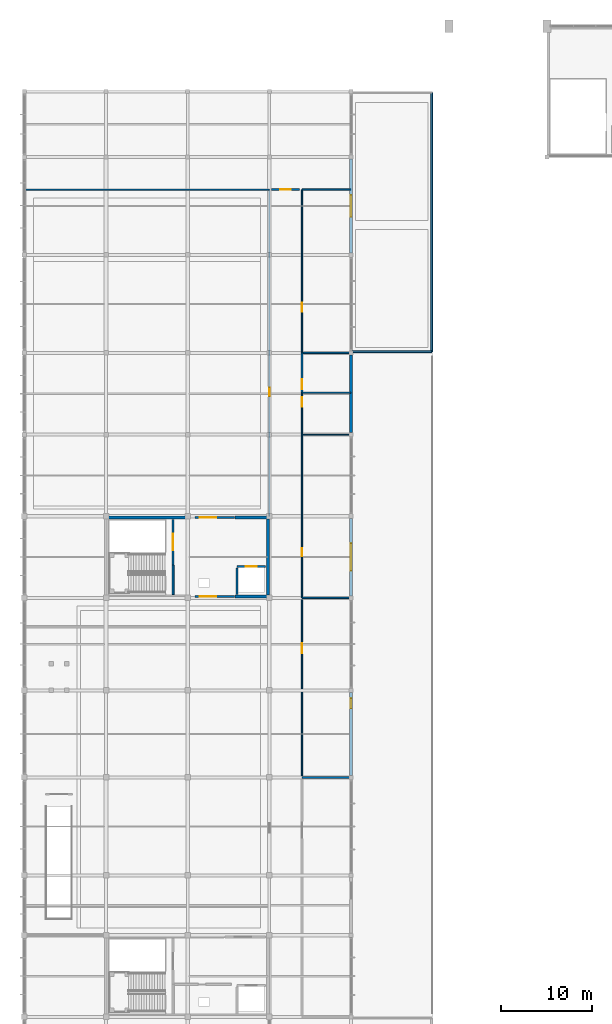
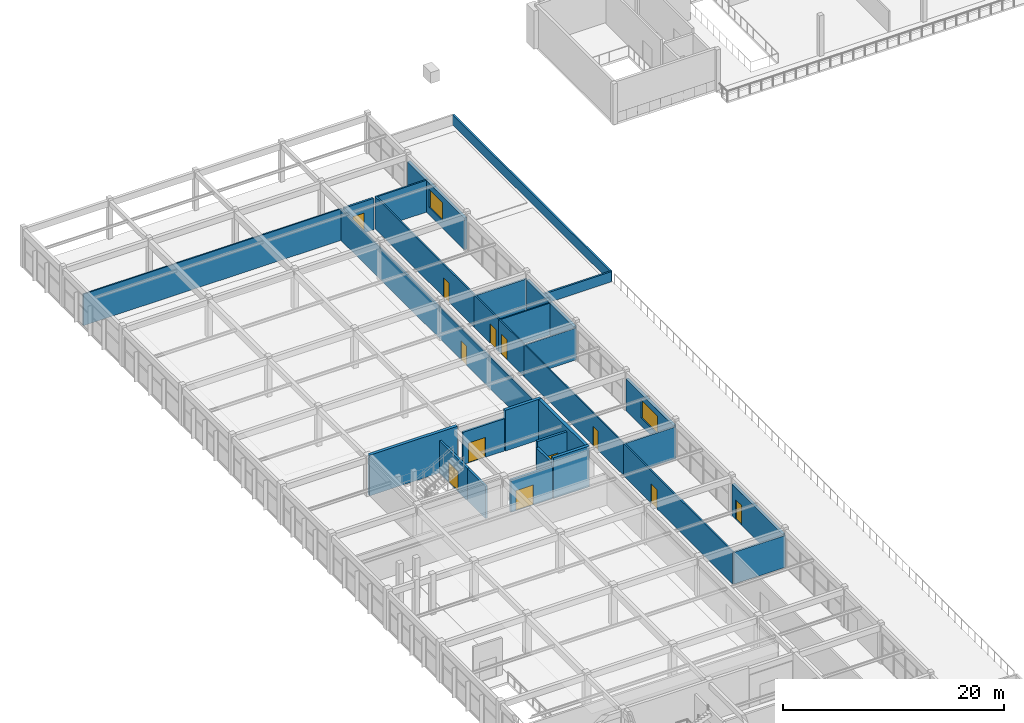
# One storey, part 67 of 89: 30 walls, 12 doors, 2 windows, 14 openings.
"""IFC4 building model written with IfcOpenShell, lengths in metres."""

import ifcopenshell
import ifcopenshell.guid

model = None  # the IFC model being written
_history = None  # IfcOwnerHistory: only IFC2X3 demands one
_inside = {}  # id of a spatial element -> (the spatial element, [elements in it])
_under = {}  # id of a project, library or spatial element -> (it, [spatial elements below it])
_declared = {}  # id of a project -> (the project, [libraries it declares])
_typed = {}  # id of a type object -> (the type object, [elements of that type])
_made_of = {}  # id of a material, layer set ... -> (it, [elements and type objects made of it])


def new_model(schema):
    """Start an empty IFC model of exactly this schema.

    Asked for "IFC4X3", IfcOpenShell would pick the latest addendum, in which some entities
    have other attributes; the version numbers below select the first issue.
    IFC2X3 requires an IfcOwnerHistory on every rooted entity: one is made here for all.
    """
    global model, _history
    if schema == "IFC4X3":
        model = ifcopenshell.file(schema_version=(4, 3, 0, 0))
    else:
        model = ifcopenshell.file(schema=schema)
    _inside.clear()
    _under.clear()
    _declared.clear()
    _typed.clear()
    _made_of.clear()
    _history = None
    if model.schema == "IFC2X3":
        org = make("IfcOrganization", Name="unknown")
        user = make(
            "IfcPersonAndOrganization",
            ThePerson=make("IfcPerson", FamilyName="unknown"),
            TheOrganization=org,
        )
        app = make(
            "IfcApplication",
            ApplicationDeveloper=org,
            Version="unknown",
            ApplicationFullName="unknown",
            ApplicationIdentifier="unknown",
        )
        _history = make(
            "IfcOwnerHistory",
            OwningUser=user,
            OwningApplication=app,
            ChangeAction="ADDED",
            CreationDate=0,
        )
    return model


def make(cls, **values):
    """One entity of the class cls with the attributes given. An attribute that is None is left unset."""
    return model.create_entity(
        cls, **{name: value for name, value in values.items() if value is not None}
    )


def rooted(cls, **values):
    """An entity with a GlobalId (a new one), such as an element, a storey or a relation."""
    return make(cls, GlobalId=ifcopenshell.guid.new(), OwnerHistory=_history, **values)


def si_unit(unit_type, name, prefix=None):
    """IfcSIUnit, for example si_unit("LENGTHUNIT", "METRE", prefix="MILLI")."""
    return make("IfcSIUnit", UnitType=unit_type, Prefix=prefix, Name=name)


def assignment(units):
    """IfcUnitAssignment: the units of a project."""
    return None if units is None else make("IfcUnitAssignment", Units=units)


def point(xyz):
    """IfcCartesianPoint."""
    return None if xyz is None else make("IfcCartesianPoint", Coordinates=xyz)


def direction(xyz):
    """IfcDirection."""
    return None if xyz is None else make("IfcDirection", DirectionRatios=xyz)


def frame(location, z_axis=None, x_axis=None):
    """IfcAxis2Placement3D, a coordinate frame: its origin and axes. An axis left out is left unset."""
    return make(
        "IfcAxis2Placement3D",
        Location=point(location),
        Axis=direction(z_axis),
        RefDirection=direction(x_axis),
    )


def frame_2d(location, x_axis=None):
    """IfcAxis2Placement2D, a coordinate frame in the plane: its origin and x axis."""
    return make(
        "IfcAxis2Placement2D", Location=point(location), RefDirection=direction(x_axis)
    )


def origin():
    """The frame at (0, 0, 0) with its axes left unset."""
    return frame((0.0, 0.0, 0.0))


def place(relative_to, where):
    """IfcLocalPlacement: puts the frame where relative to a parent placement (None: the world)."""
    return make(
        "IfcLocalPlacement", PlacementRelTo=relative_to, RelativePlacement=where
    )


def context(
    kind, dimensions, precision=None, world=None, true_north=None, identifier=None
):
    """IfcGeometricRepresentationContext, for example the 3D "Model" context."""
    return make(
        "IfcGeometricRepresentationContext",
        ContextIdentifier=identifier,
        ContextType=kind,
        CoordinateSpaceDimension=dimensions,
        Precision=precision,
        WorldCoordinateSystem=world,
        TrueNorth=true_north,
    )


def subcontext(parent, identifier, kind, view, scale=None):
    """IfcGeometricRepresentationSubContext, for example "Body" below "Model"."""
    return make(
        "IfcGeometricRepresentationSubContext",
        ContextIdentifier=identifier,
        ContextType=kind,
        ParentContext=parent,
        TargetScale=scale,
        TargetView=view,
    )


def project(units=None, contexts=None):
    """IfcProject with its units and contexts."""
    return rooted(
        "IfcProject",
        Name="project",
        RepresentationContexts=contexts,
        UnitsInContext=assignment(units),
    )


def spatial(cls, under=None, at=None, **own):
    """A site, building, storey or space (cls), placed at a placement, below another one or the project."""
    s = rooted(cls, ObjectPlacement=at, **own)
    if under is not None:
        _under.setdefault(under.id(), (under, []))[1].append(s)
    return s


def profile(cls, at=None, kind="AREA", **sizes):
    """A parametric profile (cls). Its sizes go by their IFC names, for example OverallWidth=200.0."""
    return make(cls, ProfileType=kind, Position=at, **sizes)


def rectangle(**sizes):
    """IfcRectangleProfileDef."""
    return profile("IfcRectangleProfileDef", **sizes)


def extrude(swept, where, along, depth):
    """IfcExtrudedAreaSolid: the profile swept, set in the frame where, extruded along a direction by depth."""
    return make(
        "IfcExtrudedAreaSolid",
        SweptArea=swept,
        Position=where,
        ExtrudedDirection=direction(along),
        Depth=depth,
    )


def shape(context_of_items, identifier, shape_type, items):
    """IfcShapeRepresentation: the items that make up one representation, for example the "Body"."""
    return make(
        "IfcShapeRepresentation",
        ContextOfItems=context_of_items,
        RepresentationIdentifier=identifier,
        RepresentationType=shape_type,
        Items=items,
    )


def material(Name=None, Category=None):
    """IfcMaterial."""
    return make("IfcMaterial", Name=Name, Category=Category)


def layer(
    of_material, thickness, ventilated=None, Name=None, Category=None, Priority=None
):
    """IfcMaterialLayer: one layer of a wall or slab, of a material (None: an air gap)."""
    return make(
        "IfcMaterialLayer",
        Material=of_material,
        LayerThickness=thickness,
        IsVentilated=ventilated,
        Name=Name,
        Category=Category,
        Priority=Priority,
    )


def layer_set(layers, Name=None):
    """IfcMaterialLayerSet."""
    return make("IfcMaterialLayerSet", MaterialLayers=layers, LayerSetName=Name)


def made_of(thing, what):
    """Note that an element or type object is made of a material, layer set ...; save() writes the relation."""
    if what is not None:
        _made_of.setdefault(what.id(), (what, []))[1].append(thing)
    return thing


def type_object(cls, material=None, **own):
    """A type object (cls), such as IfcWallType, which elements share."""
    return made_of(rooted(cls, **own), material)


def element(
    cls,
    number,
    at=None,
    inside=None,
    cuts=None,
    type_object=None,
    material=None,
    context=None,
    identifier="Body",
    shape_type=None,
    held_by="IfcProductDefinitionShape",
    body=None,
    shapes=None,
    **own,
):
    """One element of the class cls, such as IfcWall. Its Tag is "e" and its number.

    at: its placement. inside: the storey or other place that contains it. cuts: it is an
    opening in that element (IfcRelVoidsElement). A single representation is given by context,
    identifier, shape_type and body (its items); several are given by shapes. held_by: the class
    of the entity that holds the representations. save() writes the other relations.
    """
    e = rooted(cls, Tag="e%d" % number, ObjectPlacement=at, **own)
    if body is not None:
        shapes = [shape(context, identifier, shape_type, body)]
    if shapes is not None:
        e.Representation = make(held_by, Representations=shapes)
    if inside is not None:
        _inside.setdefault(inside.id(), (inside, []))[1].append(e)
    if cuts is not None:
        rooted(
            "IfcRelVoidsElement", RelatingBuildingElement=cuts, RelatedOpeningElement=e
        )
    if type_object is not None:
        _typed.setdefault(type_object.id(), (type_object, []))[1].append(e)
    return made_of(e, material)


def fill(opening, filler):
    """IfcRelFillsElement: the door or window that sits in an opening."""
    return rooted(
        "IfcRelFillsElement",
        RelatingOpeningElement=opening,
        RelatedBuildingElement=filler,
    )


def aggregate(whole, parts):
    """IfcRelAggregates: a whole, such as a stair, and the parts it consists of."""
    return rooted("IfcRelAggregates", RelatingObject=whole, RelatedObjects=parts)


def save(model, path):
    """Write the relations noted so far, then the file.

    IfcRelAggregates (storeys below a building ...), IfcRelContainedInSpatialStructure (elements
    in a storey), IfcRelDefinesByType, IfcRelAssociatesMaterial and IfcRelDeclares: one each for
    every whole, place, type object, material and project.
    """
    for whole, parts in _under.values():
        aggregate(whole, parts)
    for where, things in _inside.values():
        rooted(
            "IfcRelContainedInSpatialStructure",
            RelatedElements=things,
            RelatingStructure=where,
        )
    for kind, things in _typed.values():
        rooted("IfcRelDefinesByType", RelatedObjects=things, RelatingType=kind)
    for what, things in _made_of.values():
        rooted("IfcRelAssociatesMaterial", RelatedObjects=things, RelatingMaterial=what)
    for by, libraries in _declared.values():
        rooted("IfcRelDeclares", RelatingContext=by, RelatedDefinitions=libraries)
    model.write(path)


model = new_model("IFC4")

# Units and contexts
model_context = context("Model", 3, precision=1e-05, world=origin(), true_north=direction((0.0, 1.0)))
body_context = subcontext(model_context, "Body", "Model", "MODEL_VIEW")
ifc_project = project(units=[si_unit("LENGTHUNIT", "METRE"), si_unit("AREAUNIT", "SQUARE_METRE"), si_unit("VOLUMEUNIT", "CUBIC_METRE"), si_unit("PLANEANGLEUNIT", "RADIAN"), si_unit("MASSUNIT", "GRAM", prefix="KILO")], contexts=[model_context])

# Site, building, storey
site_placement = place(None, origin())
site = spatial("IfcSite", under=ifc_project, at=site_placement, CompositionType="ELEMENT")
building_placement = place(site_placement, origin())
building = spatial("IfcBuilding", under=site, at=building_placement, Name="Suirenkawa Promenade Aquatics Centre", CompositionType="ELEMENT")
storey_placement = place(building_placement, frame((0.0, 0.0, 9.60009765625)))
storey = spatial("IfcBuildingStorey", under=building, at=storey_placement, Name="L02", CompositionType="ELEMENT", Elevation=9.60009765625)

# Wall, opening, door
ifc_material_1 = material(Name="Autoclaved aerated concrete blockwork Grade 1", Category="masonry")
ifc_layer_1 = layer(ifc_material_1, 0.199951171875, Name="Autoclaved aerated concrete blockwork Grade 1", Category="masonry")
ifc_layer_set_1 = layer_set([ifc_layer_1], Name="Autoclaved aerated concrete blockwork Grade 1")
wall_type_1 = type_object("IfcWallType", Name="WT-COMP-200", PredefinedType="PARTITIONING", material=ifc_layer_set_1)
wall_1_placement = place(storey_placement, frame((27.25, 104.39990234375, 0.0), z_axis=(0.0, 0.0, 1.0), x_axis=(1.0, 0.0, 0.0)))
wall_1 = element("IfcWall", 1, at=wall_1_placement, inside=storey, type_object=wall_type_1, Name="Interior wall WL-PRT-01 W-7165", PredefinedType="PARTITIONING", context=body_context, shape_type="SweptSolid", body=[
    extrude(rectangle(XDim=3.10009765625, YDim=0.199951171875, at=frame_2d((1.550048828125, 0.0))), origin(), (0.0, 0.0, 1.0), 3.474853515625),
])
opening_1_placement = place(wall_1_placement, frame((0.949951171875, 0.0, 0.0)))
opening_1 = element("IfcOpeningElement", 2, at=opening_1_placement, cuts=wall_1, Name="Opening ID-03", PredefinedType="OPENING", context=body_context, shape_type="SweptSolid", body=[
    extrude(rectangle(XDim=1.14990234375, YDim=2.199951171875, at=frame_2d((0.574951171875, 1.10009765625))), frame((0.0, 0.10986328125, 0.0), z_axis=(0.0, -1.0, 0.0), x_axis=(1.0, 0.0, 0.0)), (0.0, 0.0, 1.0), 0.219970703125),
])
ifc_material_2 = material(Name="Steel IS 2062 E350 (Grade 350)", Category="steel")
door_type_1 = type_object("IfcDoorType", Name="DT-FD120-1150x2200", OperationType="NOTDEFINED", PredefinedType="DOOR", material=ifc_material_2)
door_1_placement = place(opening_1_placement, origin())
door_1 = element("IfcDoor", 3, at=door_1_placement, inside=storey, type_object=door_type_1, Name="Interior door ID-03 DR-INT-0102", OperationType="SINGLE_SWING_LEFT", OverallHeight=2.199951171875, OverallWidth=1.14990234375, PredefinedType="DOOR", context=body_context, shape_type="SweptSolid", body=[
    extrude(rectangle(XDim=1.14990234375, YDim=2.199951171875, at=frame_2d((0.574951171875, 1.10009765625))), frame((0.0, 0.02490234375, 0.0), z_axis=(0.0, -1.0, 0.0), x_axis=(1.0, 0.0, 0.0)), (0.0, 0.0, 1.0), 0.050048828125),
])
fill(opening_1, door_1)

# Walls
ifc_material_3 = material(Name="Concrete M40", Category="concrete")
ifc_layer_2 = layer(ifc_material_3, 0.320068359375, Name="Concrete M40", Category="concrete")
ifc_layer_set_2 = layer_set([ifc_layer_2], Name="Concrete M40")
wall_type_2 = type_object("IfcWallType", Name="WT-CORE-320", PredefinedType="SHEAR", material=ifc_layer_set_2)
wall_2_placement = place(storey_placement, frame((23.199951171875, 59.56005859375, 0.0), z_axis=(0.0, 0.0, 1.0), x_axis=(1.0, 0.0, 0.0)))
element("IfcWall", 4, at=wall_2_placement, inside=storey, type_object=wall_type_2, Name="C2 south shaft wall WL-CORE-01 W-0093", PredefinedType="SHEAR", context=body_context, shape_type="SweptSolid", body=[
    extrude(rectangle(XDim=3.800048828125, YDim=0.320068359375, at=frame_2d((1.89990234375, 0.0))), origin(), (0.0, 0.0, 1.0), 4.5),
])
wall_3_placement = place(storey_placement, frame((9.0, 68.239990234375, 0.0), z_axis=(0.0, 0.0, 1.0), x_axis=(1.0, 0.0, 0.0)))
element("IfcWall", 5, at=wall_3_placement, inside=storey, type_object=wall_type_2, Name="C2 north core wall WL-CORE-01 W-0094", PredefinedType="SHEAR", context=body_context, shape_type="SweptSolid", body=[
    extrude(rectangle(XDim=9.199951171875, YDim=0.320068359375, at=frame_2d((4.60009765625, 0.0))), origin(), (0.0, 0.0, 1.0), 4.5),
])
wall_4_placement = place(storey_placement, frame((23.199951171875, 68.239990234375, 0.0), z_axis=(0.0, 0.0, 1.0), x_axis=(1.0, 0.0, 0.0)))
element("IfcWall", 6, at=wall_4_placement, inside=storey, type_object=wall_type_2, Name="C2 north shaft wall WL-CORE-01 W-0095", PredefinedType="SHEAR", context=body_context, shape_type="SweptSolid", body=[
    extrude(rectangle(XDim=3.800048828125, YDim=0.320068359375, at=frame_2d((1.89990234375, 0.0))), origin(), (0.0, 0.0, 1.0), 4.5),
])
wall_5_placement = place(storey_placement, frame((26.840087890625, 59.719970703125, 0.0), z_axis=(0.0, 0.0, 1.0), x_axis=(0.0, 1.0, 0.0)))
element("IfcWall", 7, at=wall_5_placement, inside=storey, type_object=wall_type_2, Name="C2 east core wall WL-CORE-01 W-0097", PredefinedType="SHEAR", context=body_context, shape_type="SweptSolid", body=[
    extrude(rectangle(XDim=8.360107421875, YDim=0.320068359375, at=frame_2d((4.18017578125, 0.0))), origin(), (0.0, 0.0, 1.0), 4.5),
])

# Wall, opening, door
ifc_layer_3 = layer(ifc_material_3, 0.2900390625, Name="Concrete M40", Category="concrete")
ifc_layer_set_3 = layer_set([ifc_layer_3], Name="Concrete M40")
wall_type_3 = type_object("IfcWallType", Name="WT-EXT-290", PredefinedType="SOLIDWALL", material=ifc_layer_set_3)
wall_6_placement = place(storey_placement, frame((36.0, 48.969970703125, 0.0), z_axis=(0.0, 0.0, 1.0), x_axis=(0.0, -1.0, 0.0)))
wall_6 = element("IfcWall", 8, at=wall_6_placement, inside=storey, type_object=wall_type_3, Name="Exterior wall WL-EXT-03 W-5111", PredefinedType="SOLIDWALL", context=body_context, shape_type="SweptSolid", body=[
    extrude(rectangle(XDim=9.139892578125, YDim=0.2900390625, at=frame_2d((4.56982421875, 0.0))), origin(), (0.0, 0.0, 1.0), 3.52490234375),
])
opening_2_placement = place(wall_6_placement, frame((0.64990234375, 0.0, 0.0)))
opening_2 = element("IfcOpeningElement", 9, at=opening_2_placement, cuts=wall_6, Name="Opening ED-09", PredefinedType="OPENING", context=body_context, shape_type="SweptSolid", body=[
    extrude(rectangle(XDim=1.10009765625, YDim=2.199951171875, at=frame_2d((0.550048828125, 1.10009765625))), frame((0.0, 0.155029296875, 0.0), z_axis=(0.0, -1.0, 0.0), x_axis=(1.0, 0.0, 0.0)), (0.0, 0.0, 1.0), 0.31005859375),
])
ifc_material_4 = material(Name="Anodised aluminium 6063-T6", Category="aluminium")
door_type_2 = type_object("IfcDoorType", Name="DT-EXT-TERR-1100x2200", OperationType="NOTDEFINED", PredefinedType="DOOR", material=ifc_material_4)
door_2_placement = place(opening_2_placement, origin())
door_2 = element("IfcDoor", 10, at=door_2_placement, inside=storey, type_object=door_type_2, Name="Exterior door ED-09 DR-EXT-051", OperationType="SINGLE_SWING_RIGHT", OverallHeight=2.199951171875, OverallWidth=1.10009765625, PredefinedType="DOOR", context=body_context, shape_type="SweptSolid", body=[
    extrude(rectangle(XDim=1.10009765625, YDim=2.199951171875, at=frame_2d((0.550048828125, 1.10009765625))), frame((0.0, 0.02490234375, 0.0), z_axis=(0.0, -1.0, 0.0), x_axis=(1.0, 0.0, 0.0)), (0.0, 0.0, 1.0), 0.050048828125),
])
fill(opening_2, door_2)

# Wall, opening, window
wall_7_placement = place(storey_placement, frame((36.0, 68.169921875, 0.0), z_axis=(0.0, 0.0, 1.0), x_axis=(0.0, -1.0, 0.0)))
wall_7 = element("IfcWall", 11, at=wall_7_placement, inside=storey, type_object=wall_type_3, Name="Exterior wall WL-EXT-03 W-5112", PredefinedType="SOLIDWALL", context=body_context, shape_type="SweptSolid", body=[
    extrude(rectangle(XDim=8.5400390625, YDim=0.2900390625, at=frame_2d((4.27001953125, 0.0))), origin(), (0.0, 0.0, 1.0), 3.52490234375),
])
opening_3_placement = place(wall_7_placement, frame((2.77001953125, 0.0, 0.85009765625)))
opening_3 = element("IfcOpeningElement", 12, at=opening_3_placement, cuts=wall_7, Name="Opening WN-23", PredefinedType="OPENING", context=body_context, shape_type="SweptSolid", body=[
    extrude(rectangle(XDim=3.0, YDim=2.0, at=frame_2d((1.5, 1.0))), frame((0.0, 0.155029296875, 0.0), z_axis=(0.0, -1.0, 0.0), x_axis=(1.0, 0.0, 0.0)), (0.0, 0.0, 1.0), 0.31005859375),
])
ifc_material_5 = material(Name="Low-E thermally broken double glazing", Category="glass")
window_type_1 = type_object("IfcWindowType", Name="WNT-VIEW-3000x2000", PartitioningType="SINGLE_PANEL", PredefinedType="WINDOW", material=ifc_material_5)
window_1_placement = place(opening_3_placement, origin())
window_1 = element("IfcWindow", 13, at=window_1_placement, inside=storey, type_object=window_type_1, Name="Window WN-23 WN-0052", OverallHeight=2.0, OverallWidth=3.0, PartitioningType="SINGLE_PANEL", PredefinedType="WINDOW", context=body_context, shape_type="SweptSolid", body=[
    extrude(rectangle(XDim=3.0, YDim=2.0, at=frame_2d((1.5, 1.0))), frame((0.0, 0.030029296875, 0.0), z_axis=(0.0, -1.0, 0.0), x_axis=(1.0, 0.0, 0.0)), (0.0, 0.0, 1.0), 0.06005859375),
])
fill(opening_3, window_1)

# Wall
wall_8_placement = place(storey_placement, frame((36.0, 86.169921875, 0.0), z_axis=(0.0, 0.0, 1.0), x_axis=(0.0, -1.0, 0.0)))
element("IfcWall", 14, at=wall_8_placement, inside=storey, type_object=wall_type_3, Name="Exterior wall WL-EXT-03 W-5113", PredefinedType="SOLIDWALL", context=body_context, shape_type="SweptSolid", body=[
    extrude(rectangle(XDim=8.5400390625, YDim=0.2900390625, at=frame_2d((4.27001953125, 0.0))), origin(), (0.0, 0.0, 1.0), 3.52490234375),
])

# Wall, opening, window
wall_9_placement = place(storey_placement, frame((36.0, 107.77001953125, 0.0), z_axis=(0.0, 0.0, 1.0), x_axis=(0.0, -1.0, 0.0)))
wall_9 = element("IfcWall", 15, at=wall_9_placement, inside=storey, type_object=wall_type_3, Name="Exterior wall WL-EXT-03 W-5114", PredefinedType="SOLIDWALL", context=body_context, shape_type="SweptSolid", body=[
    extrude(rectangle(XDim=10.340087890625, YDim=0.2900390625, at=frame_2d((5.169921875, 0.0))), origin(), (0.0, 0.0, 1.0), 3.52490234375),
])
opening_4_placement = place(wall_9_placement, frame((3.969970703125, 0.0, 0.85009765625)))
opening_4 = element("IfcOpeningElement", 16, at=opening_4_placement, cuts=wall_9, Name="Opening WN-24", PredefinedType="OPENING", context=body_context, shape_type="SweptSolid", body=[
    extrude(rectangle(XDim=2.39990234375, YDim=2.0, at=frame_2d((1.199951171875, 1.0))), frame((0.0, 0.155029296875, 0.0), z_axis=(0.0, -1.0, 0.0), x_axis=(1.0, 0.0, 0.0)), (0.0, 0.0, 1.0), 0.31005859375),
])
window_type_2 = type_object("IfcWindowType", Name="WNT-VIEW-2400x2000", PartitioningType="SINGLE_PANEL", PredefinedType="WINDOW", material=ifc_material_5)
window_2_placement = place(opening_4_placement, origin())
window_2 = element("IfcWindow", 17, at=window_2_placement, inside=storey, type_object=window_type_2, Name="Window WN-24 WN-0053", OverallHeight=2.0, OverallWidth=2.39990234375, PartitioningType="SINGLE_PANEL", PredefinedType="WINDOW", context=body_context, shape_type="SweptSolid", body=[
    extrude(rectangle(XDim=2.39990234375, YDim=2.0, at=frame_2d((1.199951171875, 1.0))), frame((0.0, 0.030029296875, 0.0), z_axis=(0.0, -1.0, 0.0), x_axis=(1.0, 0.0, 0.0)), (0.0, 0.0, 1.0), 0.06005859375),
])
fill(opening_4, window_2)

# Wall
ifc_layer_4 = layer(ifc_material_1, 0.179931640625, Name="Autoclaved aerated concrete blockwork Grade 1", Category="masonry")
ifc_layer_set_4 = layer_set([ifc_layer_4], Name="Autoclaved aerated concrete blockwork Grade 1")
wall_type_4 = type_object("IfcWallType", Name="WT-FIRE-180", PredefinedType="PARTITIONING", material=ifc_layer_set_4)
wall_10_placement = place(storey_placement, frame((30.60009765625, 39.60009765625, 0.0), z_axis=(0.0, 0.0, 1.0), x_axis=(1.0, 0.0, 0.0)))
element("IfcWall", 18, at=wall_10_placement, inside=storey, type_object=wall_type_4, Name="Interior wall WL-PRT-02 W-7266", PredefinedType="PARTITIONING", context=body_context, shape_type="SweptSolid", body=[
    extrude(rectangle(XDim=5.39990234375, YDim=0.179931640625, at=frame_2d((2.699951171875, 0.0))), origin(), (0.0, 0.0, 1.0), 3.52490234375),
])

# Wall, opening, door
wall_11_placement = place(storey_placement, frame((30.60009765625, 82.0, 0.0), z_axis=(0.0, 0.0, 1.0), x_axis=(0.0, 1.0, 0.0)))
wall_11 = element("IfcWall", 19, at=wall_11_placement, inside=storey, type_object=wall_type_4, Name="Interior wall WL-PRT-02 W-7274", PredefinedType="PARTITIONING", context=body_context, shape_type="SweptSolid", body=[
    extrude(rectangle(XDim=4.39990234375, YDim=0.179931640625, at=frame_2d((2.199951171875, 0.0))), origin(), (0.0, 0.0, 1.0), 3.574951171875),
])
opening_5_placement = place(wall_11_placement, frame((0.41796875, 0.0, 0.0)))
opening_5 = element("IfcOpeningElement", 20, at=opening_5_placement, cuts=wall_11, Name="Opening ID-06", PredefinedType="OPENING", context=body_context, shape_type="SweptSolid", body=[
    extrude(rectangle(XDim=1.10009765625, YDim=2.14990234375, at=frame_2d((0.550048828125, 1.074951171875))), frame((0.0, 0.099853515625, 0.0), z_axis=(0.0, -1.0, 0.0), x_axis=(1.0, 0.0, 0.0)), (0.0, 0.0, 1.0), 0.199951171875),
])
ifc_material_6 = material(Name="Engineered maple acoustic sports timber", Category="wood")
door_type_3 = type_object("IfcDoorType", Name="DT-FD60-1100x2150", OperationType="NOTDEFINED", PredefinedType="DOOR", material=ifc_material_6)
door_3_placement = place(opening_5_placement, origin())
door_3 = element("IfcDoor", 21, at=door_3_placement, inside=storey, type_object=door_type_3, Name="Interior door ID-06 DR-INT-0162", OperationType="SINGLE_SWING_RIGHT", OverallHeight=2.14990234375, OverallWidth=1.10009765625, PredefinedType="DOOR", context=body_context, shape_type="SweptSolid", body=[
    extrude(rectangle(XDim=1.10009765625, YDim=2.14990234375, at=frame_2d((0.550048828125, 1.074951171875))), frame((0.0, 0.02490234375, 0.0), z_axis=(0.0, -1.0, 0.0), x_axis=(1.0, 0.0, 0.0)), (0.0, 0.0, 1.0), 0.050048828125),
])
fill(opening_5, door_3)

# Wall
wall_12_placement = place(storey_placement, frame((30.60009765625, 86.39990234375, 0.0), z_axis=(0.0, 0.0, 1.0), x_axis=(1.0, 0.0, 0.0)))
element("IfcWall", 22, at=wall_12_placement, inside=storey, type_object=wall_type_4, Name="Interior wall WL-PRT-02 W-7275", PredefinedType="PARTITIONING", context=body_context, shape_type="SweptSolid", body=[
    extrude(rectangle(XDim=5.39990234375, YDim=0.179931640625, at=frame_2d((2.699951171875, 0.0))), origin(), (0.0, 0.0, 1.0), 3.52490234375),
])

# Wall, opening, door
ifc_material_7 = material(Name="Moisture-resistant acoustic gypsum board")
ifc_layer_5 = layer(ifc_material_7, 0.1201171875, Name="Moisture-resistant acoustic gypsum board")
ifc_layer_set_5 = layer_set([ifc_layer_5], Name="Moisture-resistant acoustic gypsum board")
wall_type_5 = type_object("IfcWallType", Name="WT-LIGHT-120", PredefinedType="PARTITIONING", material=ifc_layer_set_5)
wall_13_placement = place(storey_placement, frame((30.60009765625, 59.39990234375, 0.0), z_axis=(0.0, 0.0, 1.0), x_axis=(0.0, 1.0, 0.0)))
wall_13 = element("IfcWall", 23, at=wall_13_placement, inside=storey, type_object=wall_type_5, Name="Interior wall WL-PRT-05 W-7270", PredefinedType="PARTITIONING", context=body_context, shape_type="SweptSolid", body=[
    extrude(rectangle(XDim=18.0, YDim=0.1201171875, at=frame_2d((9.0, 0.0))), origin(), (0.0, 0.0, 1.0), 3.574951171875),
])
opening_6_placement = place(wall_13_placement, frame((4.590087890625, 0.0, 0.0)))
opening_6 = element("IfcOpeningElement", 24, at=opening_6_placement, cuts=wall_13, Name="Opening ID-12", PredefinedType="OPENING", context=body_context, shape_type="SweptSolid", body=[
    extrude(rectangle(XDim=0.89990234375, YDim=2.10009765625, at=frame_2d((0.449951171875, 1.050048828125))), frame((0.0, 0.070068359375, 0.0), z_axis=(0.0, -1.0, 0.0), x_axis=(1.0, 0.0, 0.0)), (0.0, 0.0, 1.0), 0.14013671875),
])
door_type_4 = type_object("IfcDoorType", Name="DT-STD-900x2100", OperationType="NOTDEFINED", PredefinedType="DOOR", material=ifc_material_6)
door_4_placement = place(opening_6_placement, origin())
door_4 = element("IfcDoor", 25, at=door_4_placement, inside=storey, type_object=door_type_4, Name="Interior door ID-12 DR-INT-0160", OperationType="SINGLE_SWING_RIGHT", OverallHeight=2.10009765625, OverallWidth=0.89990234375, PredefinedType="DOOR", context=body_context, shape_type="SweptSolid", body=[
    extrude(rectangle(XDim=0.89990234375, YDim=2.10009765625, at=frame_2d((0.449951171875, 1.050048828125))), frame((0.0, 0.02490234375, 0.0), z_axis=(0.0, -1.0, 0.0), x_axis=(1.0, 0.0, 0.0)), (0.0, 0.0, 1.0), 0.050048828125),
])
fill(opening_6, door_4)

# Wall
wall_14_placement = place(storey_placement, frame((30.60009765625, 77.39990234375, 0.0), z_axis=(0.0, 0.0, 1.0), x_axis=(1.0, 0.0, 0.0)))
element("IfcWall", 26, at=wall_14_placement, inside=storey, type_object=wall_type_5, Name="Interior wall WL-PRT-05 W-7271", PredefinedType="PARTITIONING", context=body_context, shape_type="SweptSolid", body=[
    extrude(rectangle(XDim=5.39990234375, YDim=0.1201171875, at=frame_2d((2.699951171875, 0.0))), origin(), (0.0, 0.0, 1.0), 3.52490234375),
])

# Wall, opening, door
ifc_material_8 = material(Name="Concrete M35", Category="concrete")
ifc_layer_6 = layer(ifc_material_8, 0.219970703125, Name="Concrete M35", Category="concrete")
ifc_layer_set_6 = layer_set([ifc_layer_6], Name="Concrete M35")
wall_type_6 = type_object("IfcWallType", Name="WT-LOBBY-220", PredefinedType="PARTITIONING", material=ifc_layer_set_6)
wall_15_placement = place(storey_placement, frame((16.39990234375, 68.050048828125, 0.0), z_axis=(0.0, 0.0, 1.0), x_axis=(0.0, -1.0, 0.0)))
wall_15 = element("IfcWall", 27, at=wall_15_placement, inside=storey, type_object=wall_type_6, Name="Interior wall WL-LOB-01 W-7054", PredefinedType="PARTITIONING", context=body_context, shape_type="SweptSolid", body=[
    extrude(rectangle(XDim=5.050048828125, YDim=0.219970703125, at=frame_2d((2.52490234375, 0.0))), origin(), (0.0, 0.0, 1.0), 3.574951171875),
])
opening_7_placement = place(wall_15_placement, frame((1.60009765625, 0.0, 0.0)))
opening_7 = element("IfcOpeningElement", 28, at=opening_7_placement, cuts=wall_15, Name="Opening ID-02", PredefinedType="OPENING", context=body_context, shape_type="SweptSolid", body=[
    extrude(rectangle(XDim=1.800048828125, YDim=2.199951171875, at=frame_2d((0.89990234375, 1.10009765625))), frame((0.0, 0.119873046875, 0.0), z_axis=(0.0, -1.0, 0.0), x_axis=(1.0, 0.0, 0.0)), (0.0, 0.0, 1.0), 0.239990234375),
])
door_type_5 = type_object("IfcDoorType", Name="DT-FD120-1800x2200", OperationType="DOUBLE_DOOR_SINGLE_SWING", PredefinedType="DOOR", material=ifc_material_2)
door_5_placement = place(opening_7_placement, origin())
door_5 = element("IfcDoor", 29, at=door_5_placement, inside=storey, type_object=door_type_5, Name="Interior door ID-02 DR-INT-0036", OperationType="DOUBLE_DOOR_SINGLE_SWING", OverallHeight=2.199951171875, OverallWidth=1.800048828125, PredefinedType="DOOR", context=body_context, shape_type="SweptSolid", body=[
    extrude(rectangle(XDim=1.800048828125, YDim=2.199951171875, at=frame_2d((0.89990234375, 1.10009765625))), frame((0.0, 0.02490234375, 0.0), z_axis=(0.0, -1.0, 0.0), x_axis=(1.0, 0.0, 0.0)), (0.0, 0.0, 1.0), 0.050048828125),
])
fill(opening_7, door_5)

# Wall
wall_16_placement = place(storey_placement, frame((16.39990234375, 59.75, 0.0), z_axis=(0.0, 0.0, 1.0), x_axis=(0.0, 1.0, 0.0)))
element("IfcWall", 30, at=wall_16_placement, inside=storey, type_object=wall_type_6, Name="Interior wall WL-LOB-01 W-7055", PredefinedType="PARTITIONING", context=body_context, shape_type="SweptSolid", body=[
    extrude(rectangle(XDim=3.25, YDim=0.219970703125, at=frame_2d((1.625, 0.0))), origin(), (0.0, 0.0, 1.0), 3.574951171875),
])

# Wall, opening, door
wall_17_placement = place(storey_placement, frame((18.800048828125, 59.56005859375, 0.0), z_axis=(0.0, 0.0, 1.0), x_axis=(1.0, 0.0, 0.0)))
wall_17 = element("IfcWall", 31, at=wall_17_placement, inside=storey, type_object=wall_type_6, Name="Interior wall WL-LOB-01 W-7058", PredefinedType="PARTITIONING", context=body_context, shape_type="SweptSolid", body=[
    extrude(rectangle(XDim=4.349853515625, YDim=0.219970703125, at=frame_2d((2.1748046875, 0.0))), origin(), (0.0, 0.0, 1.0), 3.574951171875),
])
opening_8_placement = place(wall_17_placement, frame((0.550048828125, 0.0, 0.0)))
opening_8 = element("IfcOpeningElement", 32, at=opening_8_placement, cuts=wall_17, Name="Opening ID-02", PredefinedType="OPENING", context=body_context, shape_type="SweptSolid", body=[
    extrude(rectangle(XDim=1.800048828125, YDim=2.199951171875, at=frame_2d((0.89990234375, 1.10009765625))), frame((0.0, 0.119873046875, 0.0), z_axis=(0.0, -1.0, 0.0), x_axis=(1.0, 0.0, 0.0)), (0.0, 0.0, 1.0), 0.239990234375),
])
door_6_placement = place(opening_8_placement, origin())
door_6 = element("IfcDoor", 33, at=door_6_placement, inside=storey, type_object=door_type_5, Name="Interior door ID-02 DR-INT-0038", OperationType="DOUBLE_DOOR_SINGLE_SWING", OverallHeight=2.199951171875, OverallWidth=1.800048828125, PredefinedType="DOOR", context=body_context, shape_type="SweptSolid", body=[
    extrude(rectangle(XDim=1.800048828125, YDim=2.199951171875, at=frame_2d((0.89990234375, 1.10009765625))), frame((0.0, 0.02490234375, 0.0), z_axis=(0.0, -1.0, 0.0), x_axis=(1.0, 0.0, 0.0)), (0.0, 0.0, 1.0), 0.050048828125),
])
fill(opening_8, door_6)

wall_18_placement = place(storey_placement, frame((18.800048828125, 68.239990234375, 0.0), z_axis=(0.0, 0.0, 1.0), x_axis=(1.0, 0.0, 0.0)))
wall_18 = element("IfcWall", 34, at=wall_18_placement, inside=storey, type_object=wall_type_6, Name="Interior wall WL-LOB-01 W-7059", PredefinedType="PARTITIONING", context=body_context, shape_type="SweptSolid", body=[
    extrude(rectangle(XDim=4.349853515625, YDim=0.219970703125, at=frame_2d((2.1748046875, 0.0))), origin(), (0.0, 0.0, 1.0), 3.574951171875),
])
opening_9_placement = place(wall_18_placement, frame((0.550048828125, 0.0, 0.0)))
opening_9 = element("IfcOpeningElement", 35, at=opening_9_placement, cuts=wall_18, Name="Opening ID-02", PredefinedType="OPENING", context=body_context, shape_type="SweptSolid", body=[
    extrude(rectangle(XDim=1.800048828125, YDim=2.199951171875, at=frame_2d((0.89990234375, 1.10009765625))), frame((0.0, 0.119873046875, 0.0), z_axis=(0.0, -1.0, 0.0), x_axis=(1.0, 0.0, 0.0)), (0.0, 0.0, 1.0), 0.239990234375),
])
door_7_placement = place(opening_9_placement, origin())
door_7 = element("IfcDoor", 36, at=door_7_placement, inside=storey, type_object=door_type_5, Name="Interior door ID-02 DR-INT-0039", OperationType="DOUBLE_DOOR_SINGLE_SWING", OverallHeight=2.199951171875, OverallWidth=1.800048828125, PredefinedType="DOOR", context=body_context, shape_type="SweptSolid", body=[
    extrude(rectangle(XDim=1.800048828125, YDim=2.199951171875, at=frame_2d((0.89990234375, 1.10009765625))), frame((0.0, 0.02490234375, 0.0), z_axis=(0.0, -1.0, 0.0), x_axis=(1.0, 0.0, 0.0)), (0.0, 0.0, 1.0), 0.050048828125),
])
fill(opening_9, door_7)

# Walls
ifc_layer_7 = layer(ifc_material_3, 0.18994140625, Name="Concrete M40", Category="concrete")
ifc_layer_set_7 = layer_set([ifc_layer_7], Name="Concrete M40")
wall_type_7 = type_object("IfcWallType", Name="WT-PARAPET-190", PredefinedType="PARAPET", material=ifc_layer_set_7)
wall_19_placement = place(storey_placement, frame((36.14990234375, 86.52001953125, 0.0), z_axis=(0.0, 0.0, 1.0), x_axis=(1.0, 0.0, 0.0)))
element("IfcWall", 37, at=wall_19_placement, inside=storey, type_object=wall_type_7, Name="Setback roof parapet WL-PAR-02 W-5142", PredefinedType="PARAPET", context=body_context, shape_type="SweptSolid", body=[
    extrude(rectangle(XDim=8.75, YDim=0.18994140625, at=frame_2d((4.375, 0.0))), origin(), (0.0, 0.0, 1.0), 1.119873046875),
])
wall_20_placement = place(storey_placement, frame((44.89990234375, 86.52001953125, 0.0), z_axis=(0.0, 0.0, 1.0), x_axis=(0.0, 1.0, 0.0)))
element("IfcWall", 38, at=wall_20_placement, inside=storey, type_object=wall_type_7, Name="Setback roof parapet WL-PAR-02 W-5143", PredefinedType="PARAPET", context=body_context, shape_type="SweptSolid", body=[
    extrude(rectangle(XDim=28.580078125, YDim=0.18994140625, at=frame_2d((14.2900390625, 0.0))), origin(), (0.0, 0.0, 1.0), 1.119873046875),
])

# Wall, opening, door
ifc_layer_8 = layer(ifc_material_3, 0.239990234375, Name="Concrete M40", Category="concrete")
ifc_layer_set_8 = layer_set([ifc_layer_8], Name="Concrete M40")
wall_type_8 = type_object("IfcWallType", Name="WT-SHAFT-240", PredefinedType="SOLIDWALL", material=ifc_layer_set_8)
wall_21_placement = place(storey_placement, frame((23.449951171875, 62.85009765625, 0.0), z_axis=(0.0, 0.0, 1.0), x_axis=(1.0, 0.0, 0.0)))
wall_21 = element("IfcWall", 39, at=wall_21_placement, inside=storey, type_object=wall_type_8, Name="Interior wall WL-SHF-01 W-7056", PredefinedType="SOLIDWALL", context=body_context, shape_type="SweptSolid", body=[
    extrude(rectangle(XDim=3.10009765625, YDim=0.239990234375, at=frame_2d((1.550048828125, 0.0))), origin(), (0.0, 0.0, 1.0), 4.204833984375),
])
opening_10_placement = place(wall_21_placement, frame((0.949951171875, 0.0, 0.0)))
opening_10 = element("IfcOpeningElement", 40, at=opening_10_placement, cuts=wall_21, Name="Opening LD-02", PredefinedType="OPENING", context=body_context, shape_type="SweptSolid", body=[
    extrude(rectangle(XDim=1.199951171875, YDim=2.199951171875, at=frame_2d((0.60009765625, 1.10009765625))), frame((0.0, 0.1298828125, 0.0), z_axis=(0.0, -1.0, 0.0), x_axis=(1.0, 0.0, 0.0)), (0.0, 0.0, 1.0), 0.260009765625),
])
ifc_material_9 = material(Name="Marine-grade stainless steel Grade 316L", Category="steel")
door_type_6 = type_object("IfcDoorType", Name="DT-LIFT-1200x2200", OperationType="DOUBLE_DOOR_SLIDING", PredefinedType="DOOR", material=ifc_material_9)
door_8_placement = place(opening_10_placement, origin())
door_8 = element("IfcDoor", 41, at=door_8_placement, inside=storey, type_object=door_type_6, Name="Landing door LD-02 DR-INT-0037", OperationType="DOUBLE_DOOR_SLIDING", OverallHeight=2.199951171875, OverallWidth=1.199951171875, PredefinedType="DOOR", context=body_context, shape_type="SweptSolid", body=[
    extrude(rectangle(XDim=1.199951171875, YDim=2.199951171875, at=frame_2d((0.60009765625, 1.10009765625))), frame((0.0, 0.02490234375, 0.0), z_axis=(0.0, -1.0, 0.0), x_axis=(1.0, 0.0, 0.0)), (0.0, 0.0, 1.0), 0.050048828125),
])
fill(opening_10, door_8)

# Wall
wall_22_placement = place(storey_placement, frame((23.449951171875, 59.75, 0.0), z_axis=(0.0, 0.0, 1.0), x_axis=(0.0, 1.0, 0.0)))
element("IfcWall", 42, at=wall_22_placement, inside=storey, type_object=wall_type_8, Name="Interior wall WL-SHF-01 W-7057", PredefinedType="SOLIDWALL", context=body_context, shape_type="SweptSolid", body=[
    extrude(rectangle(XDim=2.949951171875, YDim=0.239990234375, at=frame_2d((1.47509765625, 0.0))), origin(), (0.0, 0.0, 1.0), 3.574951171875),
])

# Wall, opening, door
ifc_layer_9 = layer(ifc_material_7, 0.139892578125, Name="Moisture-resistant acoustic gypsum board")
ifc_layer_set_9 = layer_set([ifc_layer_9], Name="Moisture-resistant acoustic gypsum board")
wall_type_9 = type_object("IfcWallType", Name="WT-STD-140", PredefinedType="PARTITIONING", material=ifc_layer_set_9)
wall_23_placement = place(storey_placement, frame((27.0, 68.39990234375, 0.0), z_axis=(0.0, 0.0, 1.0), x_axis=(0.0, 1.0, 0.0)))
wall_23 = element("IfcWall", 43, at=wall_23_placement, inside=storey, type_object=wall_type_9, Name="Interior wall WL-PRT-04 W-7261", PredefinedType="PARTITIONING", context=body_context, shape_type="SweptSolid", body=[
    extrude(rectangle(XDim=36.0, YDim=0.139892578125, at=frame_2d((18.0, 0.0))), origin(), (0.0, 0.0, 1.0), 3.474853515625),
])
opening_11_placement = place(wall_23_placement, frame((13.205078125, 0.0, 0.0)))
opening_11 = element("IfcOpeningElement", 44, at=opening_11_placement, cuts=wall_23, Name="Opening ID-11", PredefinedType="OPENING", context=body_context, shape_type="SweptSolid", body=[
    extrude(rectangle(XDim=0.949951171875, YDim=2.10009765625, at=frame_2d((0.47509765625, 1.050048828125))), frame((0.0, 0.079833984375, 0.0), z_axis=(0.0, -1.0, 0.0), x_axis=(1.0, 0.0, 0.0)), (0.0, 0.0, 1.0), 0.159912109375),
])
door_type_7 = type_object("IfcDoorType", Name="DT-STD-950x2100", OperationType="NOTDEFINED", PredefinedType="DOOR", material=ifc_material_6)
door_9_placement = place(opening_11_placement, origin())
door_9 = element("IfcDoor", 45, at=door_9_placement, inside=storey, type_object=door_type_7, Name="Interior door ID-11 DR-INT-0156", OperationType="SINGLE_SWING_LEFT", OverallHeight=2.10009765625, OverallWidth=0.949951171875, PredefinedType="DOOR", context=body_context, shape_type="SweptSolid", body=[
    extrude(rectangle(XDim=0.949951171875, YDim=2.10009765625, at=frame_2d((0.47509765625, 1.050048828125))), frame((0.0, 0.02490234375, 0.0), z_axis=(0.0, -1.0, 0.0), x_axis=(1.0, 0.0, 0.0)), (0.0, 0.0, 1.0), 0.050048828125),
])
fill(opening_11, door_9)

# Wall
wall_24_placement = place(storey_placement, frame((0.0, 104.39990234375, 0.0), z_axis=(0.0, 0.0, 1.0), x_axis=(1.0, 0.0, 0.0)))
element("IfcWall", 46, at=wall_24_placement, inside=storey, type_object=wall_type_9, Name="Interior wall WL-PRT-04 W-7262", PredefinedType="PARTITIONING", context=body_context, shape_type="SweptSolid", body=[
    extrude(rectangle(XDim=27.0, YDim=0.139892578125, at=frame_2d((13.5, 0.0))), origin(), (0.0, 0.0, 1.0), 3.474853515625),
])

# Wall, opening, door
wall_25_placement = place(storey_placement, frame((30.60009765625, 77.39990234375, 0.0), z_axis=(0.0, 0.0, 1.0), x_axis=(0.0, 1.0, 0.0)))
wall_25 = element("IfcWall", 47, at=wall_25_placement, inside=storey, type_object=wall_type_9, Name="Interior wall WL-PRT-04 W-7272", PredefinedType="PARTITIONING", context=body_context, shape_type="SweptSolid", body=[
    extrude(rectangle(XDim=4.60009765625, YDim=0.139892578125, at=frame_2d((2.300048828125, 0.0))), origin(), (0.0, 0.0, 1.0), 3.574951171875),
])
opening_12_placement = place(wall_25_placement, frame((3.06298828125, 0.0, 0.0)))
opening_12 = element("IfcOpeningElement", 48, at=opening_12_placement, cuts=wall_25, Name="Opening ID-08", PredefinedType="OPENING", context=body_context, shape_type="SweptSolid", body=[
    extrude(rectangle(XDim=1.050048828125, YDim=2.199951171875, at=frame_2d((0.52490234375, 1.10009765625))), frame((0.0, 0.079833984375, 0.0), z_axis=(0.0, -1.0, 0.0), x_axis=(1.0, 0.0, 0.0)), (0.0, 0.0, 1.0), 0.159912109375),
])
door_type_8 = type_object("IfcDoorType", Name="DT-ACC-1050x2200", OperationType="NOTDEFINED", PredefinedType="DOOR", material=ifc_material_4)
door_10_placement = place(opening_12_placement, origin())
door_10 = element("IfcDoor", 49, at=door_10_placement, inside=storey, type_object=door_type_8, Name="Interior door ID-08 DR-INT-0161", OperationType="SINGLE_SWING_LEFT", OverallHeight=2.199951171875, OverallWidth=1.050048828125, PredefinedType="DOOR", context=body_context, shape_type="SweptSolid", body=[
    extrude(rectangle(XDim=1.050048828125, YDim=2.199951171875, at=frame_2d((0.52490234375, 1.10009765625))), frame((0.0, 0.02490234375, 0.0), z_axis=(0.0, -1.0, 0.0), x_axis=(1.0, 0.0, 0.0)), (0.0, 0.0, 1.0), 0.050048828125),
])
fill(opening_12, door_10)

# Wall
wall_26_placement = place(storey_placement, frame((30.60009765625, 82.0, 0.0), z_axis=(0.0, 0.0, 1.0), x_axis=(1.0, 0.0, 0.0)))
element("IfcWall", 50, at=wall_26_placement, inside=storey, type_object=wall_type_9, Name="Interior wall WL-PRT-04 W-7273", PredefinedType="PARTITIONING", context=body_context, shape_type="SweptSolid", body=[
    extrude(rectangle(XDim=5.39990234375, YDim=0.139892578125, at=frame_2d((2.699951171875, 0.0))), origin(), (0.0, 0.0, 1.0), 3.52490234375),
])

# Wall, opening, door
ifc_layer_10 = layer(ifc_material_1, 0.159912109375, Name="Autoclaved aerated concrete blockwork Grade 1", Category="masonry")
ifc_layer_set_10 = layer_set([ifc_layer_10], Name="Autoclaved aerated concrete blockwork Grade 1")
wall_type_10 = type_object("IfcWallType", Name="WT-WET-160", PredefinedType="PARTITIONING", material=ifc_layer_set_10)
wall_27_placement = place(storey_placement, frame((30.60009765625, 39.60009765625, 0.0), z_axis=(0.0, 0.0, 1.0), x_axis=(0.0, 1.0, 0.0)))
wall_27 = element("IfcWall", 51, at=wall_27_placement, inside=storey, type_object=wall_type_10, Name="Interior wall WL-PRT-03 W-7267", PredefinedType="PARTITIONING", context=body_context, shape_type="SweptSolid", body=[
    extrude(rectangle(XDim=19.7998046875, YDim=0.159912109375, at=frame_2d((9.89990234375, 0.0))), origin(), (0.0, 0.0, 1.0), 3.574951171875),
])
opening_13_placement = place(wall_27_placement, frame((13.7060546875, 0.0, 0.0)))
opening_13 = element("IfcOpeningElement", 52, at=opening_13_placement, cuts=wall_27, Name="Opening ID-06", PredefinedType="OPENING", context=body_context, shape_type="SweptSolid", body=[
    extrude(rectangle(XDim=1.10009765625, YDim=2.14990234375, at=frame_2d((0.550048828125, 1.074951171875))), frame((0.0, 0.08984375, 0.0), z_axis=(0.0, -1.0, 0.0), x_axis=(1.0, 0.0, 0.0)), (0.0, 0.0, 1.0), 0.179931640625),
])
door_11_placement = place(opening_13_placement, origin())
door_11 = element("IfcDoor", 53, at=door_11_placement, inside=storey, type_object=door_type_3, Name="Interior door ID-06 DR-INT-0158", OperationType="SINGLE_SWING_RIGHT", OverallHeight=2.14990234375, OverallWidth=1.10009765625, PredefinedType="DOOR", context=body_context, shape_type="SweptSolid", body=[
    extrude(rectangle(XDim=1.10009765625, YDim=2.14990234375, at=frame_2d((0.550048828125, 1.074951171875))), frame((0.0, 0.02490234375, 0.0), z_axis=(0.0, -1.0, 0.0), x_axis=(1.0, 0.0, 0.0)), (0.0, 0.0, 1.0), 0.050048828125),
])
fill(opening_13, door_11)

# Wall
wall_28_placement = place(storey_placement, frame((30.60009765625, 59.39990234375, 0.0), z_axis=(0.0, 0.0, 1.0), x_axis=(1.0, 0.0, 0.0)))
element("IfcWall", 54, at=wall_28_placement, inside=storey, type_object=wall_type_10, Name="Interior wall WL-PRT-03 W-7268", PredefinedType="PARTITIONING", context=body_context, shape_type="SweptSolid", body=[
    extrude(rectangle(XDim=5.39990234375, YDim=0.159912109375, at=frame_2d((2.699951171875, 0.0))), origin(), (0.0, 0.0, 1.0), 3.52490234375),
])

# Wall, opening, door
wall_29_placement = place(storey_placement, frame((30.60009765625, 86.39990234375, 0.0), z_axis=(0.0, 0.0, 1.0), x_axis=(0.0, 1.0, 0.0)))
wall_29 = element("IfcWall", 55, at=wall_29_placement, inside=storey, type_object=wall_type_10, Name="Interior wall WL-PRT-03 W-7276", PredefinedType="PARTITIONING", context=body_context, shape_type="SweptSolid", body=[
    extrude(rectangle(XDim=18.0, YDim=0.159912109375, at=frame_2d((9.0, 0.0))), origin(), (0.0, 0.0, 1.0), 3.574951171875),
])
opening_14_placement = place(wall_29_placement, frame((4.5400390625, 0.0, 0.0)))
opening_14 = element("IfcOpeningElement", 56, at=opening_14_placement, cuts=wall_29, Name="Opening ID-07", PredefinedType="OPENING", context=body_context, shape_type="SweptSolid", body=[
    extrude(rectangle(XDim=1.0, YDim=2.10009765625, at=frame_2d((0.5, 1.050048828125))), frame((0.0, 0.08984375, 0.0), z_axis=(0.0, -1.0, 0.0), x_axis=(1.0, 0.0, 0.0)), (0.0, 0.0, 1.0), 0.179931640625),
])
door_type_9 = type_object("IfcDoorType", Name="DT-FD60-1000x2100", OperationType="NOTDEFINED", PredefinedType="DOOR", material=ifc_material_6)
door_12_placement = place(opening_14_placement, origin())
door_12 = element("IfcDoor", 57, at=door_12_placement, inside=storey, type_object=door_type_9, Name="Interior door ID-07 DR-INT-0163", OperationType="SINGLE_SWING_LEFT", OverallHeight=2.10009765625, OverallWidth=1.0, PredefinedType="DOOR", context=body_context, shape_type="SweptSolid", body=[
    extrude(rectangle(XDim=1.0, YDim=2.10009765625, at=frame_2d((0.5, 1.050048828125))), frame((0.0, 0.02490234375, 0.0), z_axis=(0.0, -1.0, 0.0), x_axis=(1.0, 0.0, 0.0)), (0.0, 0.0, 1.0), 0.050048828125),
])
fill(opening_14, door_12)

# Wall
wall_30_placement = place(storey_placement, frame((30.60009765625, 104.39990234375, 0.0), z_axis=(0.0, 0.0, 1.0), x_axis=(1.0, 0.0, 0.0)))
element("IfcWall", 58, at=wall_30_placement, inside=storey, type_object=wall_type_10, Name="Interior wall WL-PRT-03 W-7277", PredefinedType="PARTITIONING", context=body_context, shape_type="SweptSolid", body=[
    extrude(rectangle(XDim=5.39990234375, YDim=0.159912109375, at=frame_2d((2.699951171875, 0.0))), origin(), (0.0, 0.0, 1.0), 3.52490234375),
])

save(model, "model.ifc")
